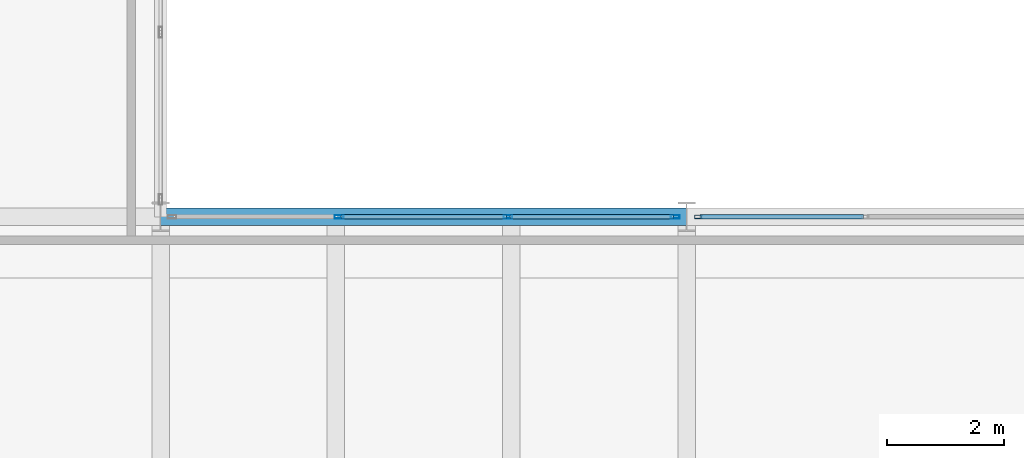
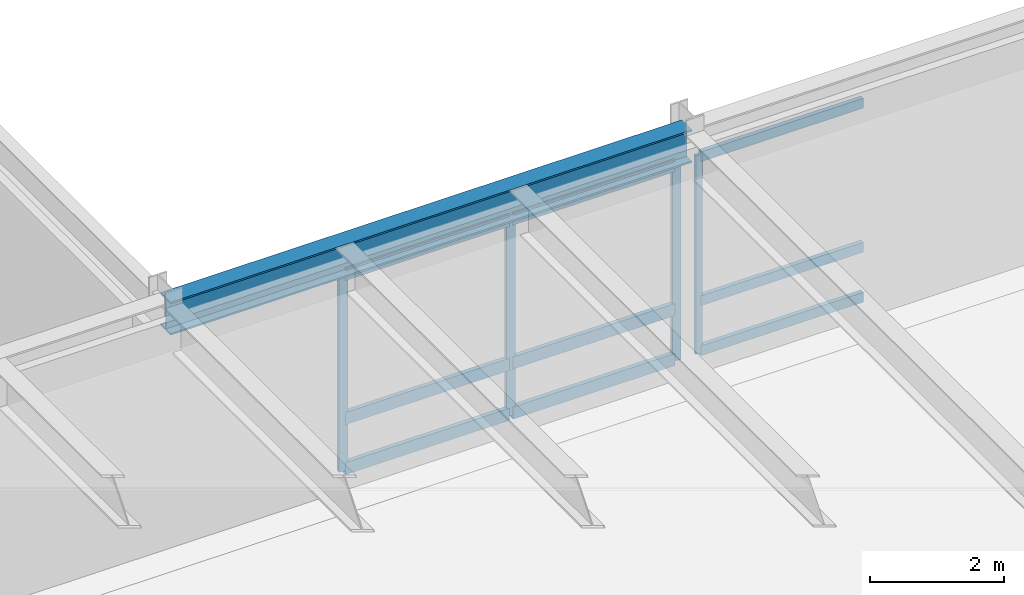
# One storey, part 86 of 127: 13 members, 1 beam, 2 elements without a shape of their own.
"""IFC4 building model written with IfcOpenShell, lengths in metres."""

from ifc_helpers import new_model, si_unit, direction, frame, origin, origin_2d, place, context, subcontext, project, spatial, hollow_rectangle, i_section, extrude, material, layer, layer_set, material_profile, profile_set, type_object, element, aggregate, save


model = new_model("IFC4")

# Units and contexts
model_context = context("Model", 3, precision=1e-05, world=origin(), true_north=direction((0.0, 1.0)))
body_context = subcontext(model_context, "Body", "Model", "MODEL_VIEW")
ifc_project = project(units=[si_unit("LENGTHUNIT", "METRE"), si_unit("AREAUNIT", "SQUARE_METRE"), si_unit("VOLUMEUNIT", "CUBIC_METRE"), si_unit("PLANEANGLEUNIT", "RADIAN"), si_unit("MASSUNIT", "GRAM", prefix="KILO")], contexts=[model_context])

# Site, building, storey
site_placement = place(None, origin())
site = spatial("IfcSite", under=ifc_project, at=site_placement, CompositionType="ELEMENT")
building_placement = place(site_placement, origin())
building = spatial("IfcBuilding", under=site, at=building_placement, Name="Montelvaro Courts of Justice", CompositionType="ELEMENT")
storey_placement = place(building_placement, frame((0.0, 0.0, 5.39990234375)))
storey = spatial("IfcBuildingStorey", under=building, at=storey_placement, Name="L01", CompositionType="ELEMENT", Elevation=5.39990234375)

# Beam
ifc_material_1 = material(Name="Steel S355", Category="steel")
ifc_material_profile_1 = material_profile(ifc_material_1, i_section(OverallWidth=0.300048828125, OverallDepth=0.60009765625, WebThickness=0.015380859375, FlangeThickness=0.030029296875, at=origin_2d()), Name="HEB 600")
ifc_profile_set_1 = profile_set([ifc_material_profile_1], Name="Steel S355")
beam_type = type_object("IfcBeamType", Name="Beam_HEB600", PredefinedType="USERDEFINED", material=ifc_profile_set_1)
beam_placement = place(storey_placement, frame((126.0, 42.0, 3.920166015625), z_axis=(1.0, 0.0, 0.0), x_axis=(0.0, 1.0, 0.0)))
element("IfcBeam", 1, at=beam_placement, inside=storey, type_object=beam_type, Name="Beam B-26 L01", ObjectType="GIRDER", PredefinedType="USERDEFINED", context=body_context, shape_type="SweptSolid", body=[
    extrude(i_section(OverallWidth=0.300048828125, OverallDepth=0.60009765625, WebThickness=0.015380859375, FlangeThickness=0.030029296875, at=origin_2d()), origin(), (0.0, 0.0, 1.0), 9.0),
])

# Curtain wall, member
ifc_material_2 = material(Name="Anodised aluminium EN AW-6063", Category="aluminium")
ifc_layer = layer(ifc_material_2, 0.159912109375)
ifc_layer_set = layer_set([ifc_layer], Name="Anodised aluminium EN AW-6063")
curtain_wall_type = type_object("IfcCurtainWallType", Name="CurtainWall_14_867x418", PredefinedType="USERDEFINED", material=ifc_layer_set)
curtain_wall_1_placement = place(storey_placement, origin())
curtain_wall_1 = element("IfcCurtainWall", 2, at=curtain_wall_1_placement, inside=storey, type_object=curtain_wall_type, Name="Curtain Wall CW-14 (L01)", ObjectType="CURTAIN WALL", PredefinedType="USERDEFINED")
ifc_material_profile_2 = material_profile(ifc_material_2, hollow_rectangle(XDim=0.06005859375, YDim=0.1201171875, WallThickness=0.00341796875, at=origin_2d()), Name="ALU-M 60x120")
ifc_profile_set_2 = profile_set([ifc_material_profile_2], Name="Anodised aluminium EN AW-6063")
member_type_1 = type_object("IfcMemberType", Name="CurtainWall_Mullion_60x120", PredefinedType="MULLION", material=ifc_profile_set_2)
member_1_placement = place(storey_placement, frame((135.195068359375, 42.0, 0.0), z_axis=(0.0, 0.0, 1.0), x_axis=(0.0, -1.0, 0.0)))
member_1 = element("IfcMember", 3, at=member_1_placement, type_object=member_type_1, Name="CW-14 mullion 4", PredefinedType="MULLION", context=body_context, shape_type="SweptSolid", body=[
    extrude(hollow_rectangle(XDim=0.06005859375, YDim=0.1201171875, WallThickness=0.00341796875, at=origin_2d()), origin(), (0.0, 0.0, 1.0), 3.614990234375),
])

# Curtain wall, members
curtain_wall_2_placement = place(storey_placement, origin())
curtain_wall_2 = element("IfcCurtainWall", 4, at=curtain_wall_2_placement, inside=storey, type_object=curtain_wall_type, Name="Curtain Wall CW-14 (L01)", ObjectType="CURTAIN WALL", PredefinedType="USERDEFINED")
ifc_material_profile_3 = material_profile(ifc_material_2, hollow_rectangle(XDim=0.06005859375, YDim=0.14990234375, WallThickness=0.00390625, at=origin_2d()), Name="ALU-M 60x150")
ifc_profile_set_3 = profile_set([ifc_material_profile_3], Name="Anodised aluminium EN AW-6063")
member_type_2 = type_object("IfcMemberType", Name="CurtainWall_Mullion_60x150", PredefinedType="MULLION", material=ifc_profile_set_3)
member_2_placement = place(storey_placement, frame((134.804931640625, 42.0, 0.0), z_axis=(0.0, 0.0, 1.0), x_axis=(0.0, -1.0, 0.0)))
member_2 = element("IfcMember", 5, at=member_2_placement, type_object=member_type_2, Name="CW-14 mullion 1", PredefinedType="MULLION", context=body_context, shape_type="SweptSolid", body=[
    extrude(hollow_rectangle(XDim=0.06005859375, YDim=0.14990234375, WallThickness=0.00390625, at=origin_2d()), origin(), (0.0, 0.0, 1.0), 3.614990234375),
])
member_3_placement = place(storey_placement, frame((131.945068359375, 42.0, 0.0), z_axis=(0.0, 0.0, 1.0), x_axis=(0.0, -1.0, 0.0)))
member_3 = element("IfcMember", 6, at=member_3_placement, type_object=member_type_2, Name="CW-14 mullion 2", PredefinedType="MULLION", context=body_context, shape_type="SweptSolid", body=[
    extrude(hollow_rectangle(XDim=0.06005859375, YDim=0.14990234375, WallThickness=0.00390625, at=origin_2d()), origin(), (0.0, 0.0, 1.0), 3.614990234375),
])
member_4_placement = place(storey_placement, frame((129.054931640625, 42.0, 0.0), z_axis=(0.0, 0.0, 1.0), x_axis=(0.0, -1.0, 0.0)))
member_4 = element("IfcMember", 7, at=member_4_placement, type_object=member_type_2, Name="CW-14 mullion 3", PredefinedType="MULLION", context=body_context, shape_type="SweptSolid", body=[
    extrude(hollow_rectangle(XDim=0.06005859375, YDim=0.14990234375, WallThickness=0.00390625, at=origin_2d()), origin(), (0.0, 0.0, 1.0), 3.614990234375),
])

# Member
ifc_material_profile_4 = material_profile(ifc_material_2, hollow_rectangle(XDim=0.074951171875, YDim=0.179931640625, WallThickness=0.0048828125, at=origin_2d()), Name="ALU-T 75x180")
ifc_profile_set_4 = profile_set([ifc_material_profile_4], Name="Anodised aluminium EN AW-6063")
member_type_3 = type_object("IfcMemberType", Name="CurtainWall_Transom_75x180", PredefinedType="USERDEFINED", material=ifc_profile_set_4)
member_5_placement = place(storey_placement, frame((138.02490234375, 42.0, 0.03759765625), z_axis=(-1.0, 0.0, 0.0), x_axis=(0.0, -1.0, 0.0)))
member_5 = element("IfcMember", 8, at=member_5_placement, type_object=member_type_3, Name="CW-14 transom 3.1", ObjectType="TRANSOM", PredefinedType="USERDEFINED", context=body_context, shape_type="SweptSolid", body=[
    extrude(hollow_rectangle(XDim=0.074951171875, YDim=0.179931640625, WallThickness=0.0048828125, at=origin_2d()), origin(), (0.0, 0.0, 1.0), 2.7998046875),
])

member_6_placement = place(storey_placement, frame((138.02490234375, 42.0, 0.9501953125), z_axis=(-1.0, 0.0, 0.0), x_axis=(0.0, -1.0, 0.0)))
member_6 = element("IfcMember", 9, at=member_6_placement, type_object=member_type_3, Name="CW-14 transom 3.2", ObjectType="TRANSOM", PredefinedType="USERDEFINED", context=body_context, shape_type="SweptSolid", body=[
    extrude(hollow_rectangle(XDim=0.074951171875, YDim=0.179931640625, WallThickness=0.0048828125, at=origin_2d()), origin(), (0.0, 0.0, 1.0), 2.7998046875),
])

member_7_placement = place(storey_placement, frame((138.02490234375, 42.0, 3.57763671875), z_axis=(-1.0, 0.0, 0.0), x_axis=(0.0, -1.0, 0.0)))
member_7 = element("IfcMember", 10, at=member_7_placement, type_object=member_type_3, Name="CW-14 transom 3.3", ObjectType="TRANSOM", PredefinedType="USERDEFINED", context=body_context, shape_type="SweptSolid", body=[
    extrude(hollow_rectangle(XDim=0.074951171875, YDim=0.179931640625, WallThickness=0.0048828125, at=origin_2d()), origin(), (0.0, 0.0, 1.0), 2.7998046875),
])

aggregate(curtain_wall_1, [member_1, member_5, member_6, member_7])

ifc_material_profile_5 = material_profile(ifc_material_2, hollow_rectangle(XDim=0.074951171875, YDim=0.219970703125, WallThickness=0.005615234375, at=origin_2d()), Name="ALU-T 75x220")
ifc_profile_set_5 = profile_set([ifc_material_profile_5], Name="Anodised aluminium EN AW-6063")
member_type_4 = type_object("IfcMemberType", Name="CurtainWall_Transom_75x220", PredefinedType="USERDEFINED", material=ifc_profile_set_5)
member_8_placement = place(storey_placement, frame((134.77490234375, 42.0, 0.03759765625), z_axis=(-1.0, 0.0, 0.0), x_axis=(0.0, -1.0, 0.0)))
member_8 = element("IfcMember", 11, at=member_8_placement, type_object=member_type_4, Name="CW-14 transom 1.1", ObjectType="TRANSOM", PredefinedType="USERDEFINED", context=body_context, shape_type="SweptSolid", body=[
    extrude(hollow_rectangle(XDim=0.074951171875, YDim=0.219970703125, WallThickness=0.005615234375, at=origin_2d()), origin(), (0.0, 0.0, 1.0), 2.7998046875),
])

member_9_placement = place(storey_placement, frame((134.77490234375, 42.0, 0.9501953125), z_axis=(-1.0, 0.0, 0.0), x_axis=(0.0, -1.0, 0.0)))
member_9 = element("IfcMember", 12, at=member_9_placement, type_object=member_type_4, Name="CW-14 transom 1.2", ObjectType="TRANSOM", PredefinedType="USERDEFINED", context=body_context, shape_type="SweptSolid", body=[
    extrude(hollow_rectangle(XDim=0.074951171875, YDim=0.219970703125, WallThickness=0.005615234375, at=origin_2d()), origin(), (0.0, 0.0, 1.0), 2.7998046875),
])

member_10_placement = place(storey_placement, frame((134.77490234375, 42.0, 3.57763671875), z_axis=(-1.0, 0.0, 0.0), x_axis=(0.0, -1.0, 0.0)))
member_10 = element("IfcMember", 13, at=member_10_placement, type_object=member_type_4, Name="CW-14 transom 1.3", ObjectType="TRANSOM", PredefinedType="USERDEFINED", context=body_context, shape_type="SweptSolid", body=[
    extrude(hollow_rectangle(XDim=0.074951171875, YDim=0.219970703125, WallThickness=0.005615234375, at=origin_2d()), origin(), (0.0, 0.0, 1.0), 2.7998046875),
])

member_11_placement = place(storey_placement, frame((131.9150390625, 42.0, 0.03759765625), z_axis=(-1.0, 0.0, 0.0), x_axis=(0.0, -1.0, 0.0)))
member_11 = element("IfcMember", 14, at=member_11_placement, type_object=member_type_4, Name="CW-14 transom 2.1", ObjectType="TRANSOM", PredefinedType="USERDEFINED", context=body_context, shape_type="SweptSolid", body=[
    extrude(hollow_rectangle(XDim=0.074951171875, YDim=0.219970703125, WallThickness=0.005615234375, at=origin_2d()), origin(), (0.0, 0.0, 1.0), 2.830078125),
])

member_12_placement = place(storey_placement, frame((131.9150390625, 42.0, 0.9501953125), z_axis=(-1.0, 0.0, 0.0), x_axis=(0.0, -1.0, 0.0)))
member_12 = element("IfcMember", 15, at=member_12_placement, type_object=member_type_4, Name="CW-14 transom 2.2", ObjectType="TRANSOM", PredefinedType="USERDEFINED", context=body_context, shape_type="SweptSolid", body=[
    extrude(hollow_rectangle(XDim=0.074951171875, YDim=0.219970703125, WallThickness=0.005615234375, at=origin_2d()), origin(), (0.0, 0.0, 1.0), 2.830078125),
])

member_13_placement = place(storey_placement, frame((131.9150390625, 42.0, 3.57763671875), z_axis=(-1.0, 0.0, 0.0), x_axis=(0.0, -1.0, 0.0)))
member_13 = element("IfcMember", 16, at=member_13_placement, type_object=member_type_4, Name="CW-14 transom 2.3", ObjectType="TRANSOM", PredefinedType="USERDEFINED", context=body_context, shape_type="SweptSolid", body=[
    extrude(hollow_rectangle(XDim=0.074951171875, YDim=0.219970703125, WallThickness=0.005615234375, at=origin_2d()), origin(), (0.0, 0.0, 1.0), 2.830078125),
])

aggregate(curtain_wall_2, [member_2, member_3, member_4, member_8, member_9, member_10, member_11, member_12, member_13])

save(model, "model.ifc")
